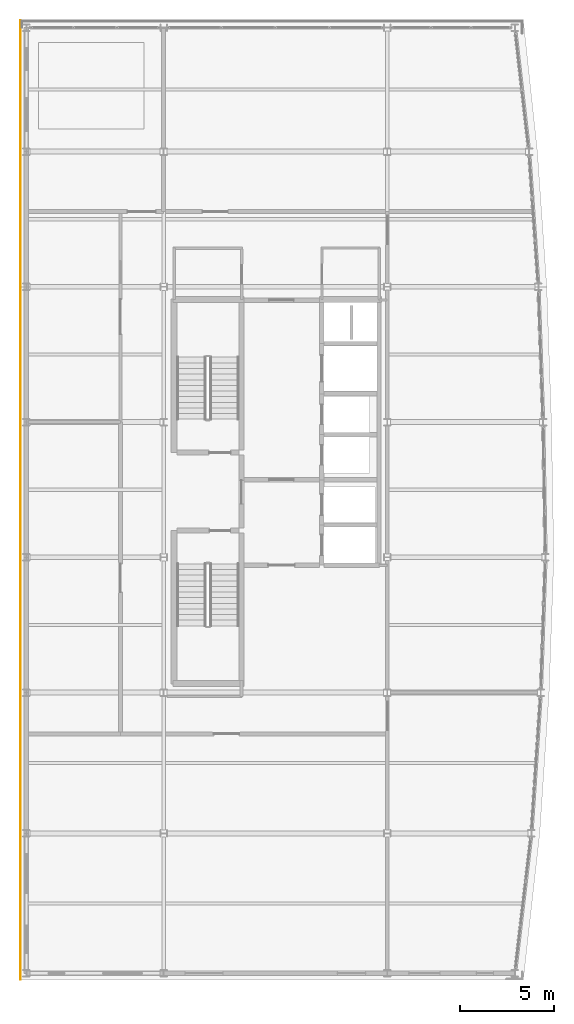
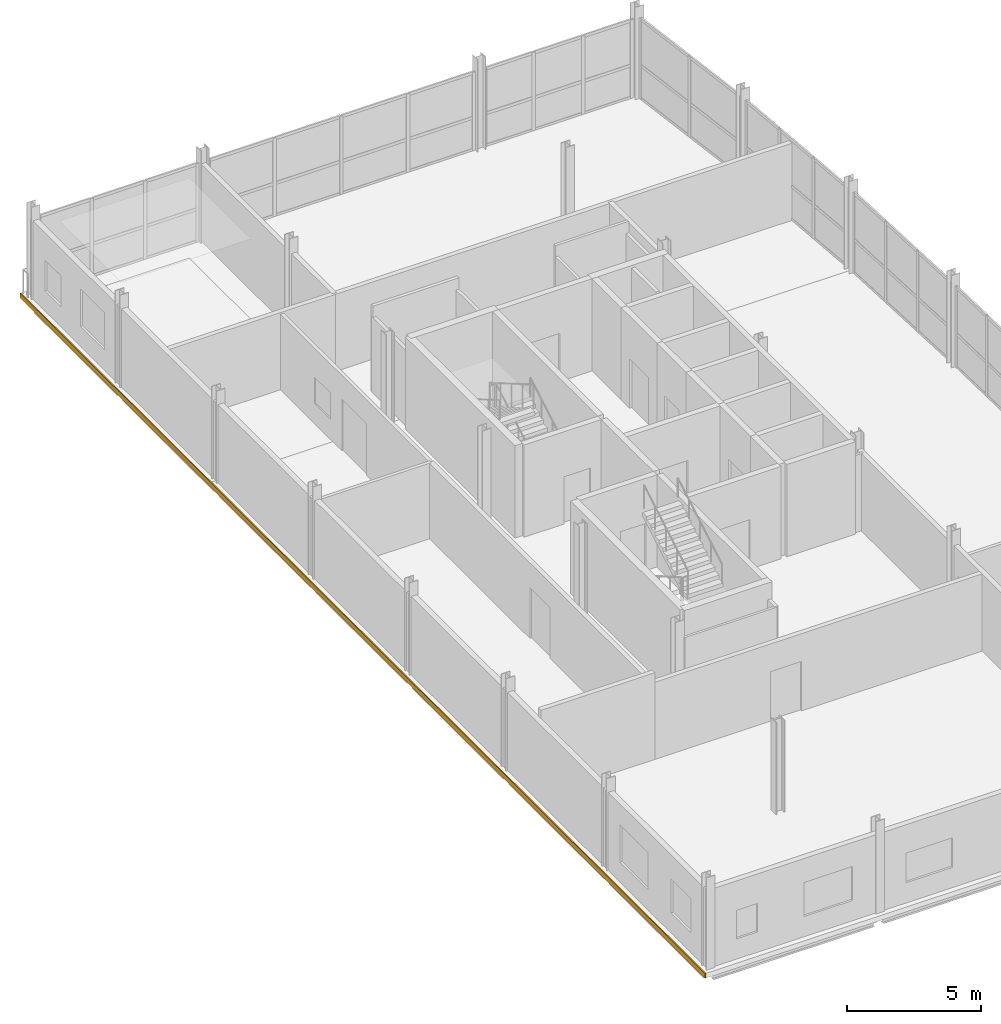
# One storey, part 19 of 20: 1 covering.
"""IFC4 building model written with IfcOpenShell, lengths in metres."""

from ifc_helpers import new_model, si_unit, direction, frame, origin, place, context, subcontext, project, spatial, polyline, outline, extrude, material, layer, layer_set, type_object, element, save


model = new_model("IFC4")

# Units and contexts
model_context = context("Model", 3, precision=1e-05, world=origin(), true_north=direction((0.0, 1.0)))
body_context = subcontext(model_context, "Body", "Model", "MODEL_VIEW")
ifc_project = project(units=[si_unit("LENGTHUNIT", "METRE"), si_unit("AREAUNIT", "SQUARE_METRE"), si_unit("VOLUMEUNIT", "CUBIC_METRE"), si_unit("PLANEANGLEUNIT", "RADIAN"), si_unit("MASSUNIT", "GRAM", prefix="KILO")], contexts=[model_context])

# Site, building, storey
site_placement = place(None, origin())
site = spatial("IfcSite", under=ifc_project, at=site_placement, CompositionType="ELEMENT")
building_placement = place(site_placement, origin())
building = spatial("IfcBuilding", under=site, at=building_placement, Name="Quillay Park Conservatory", CompositionType="ELEMENT")
storey_placement = place(building_placement, frame((0.0, 0.0, 30.89990234375)))
storey = spatial("IfcBuildingStorey", under=building, at=storey_placement, Name="L07", CompositionType="ELEMENT", Elevation=30.89990234375)

# Covering
ifc_material = material(Name="Glass-Fibre Reinforced Concrete (GRC) Cladding", Category="concrete")
ifc_layer = layer(ifc_material, 0.044921875)
ifc_layer_set = layer_set([ifc_layer], Name="GRC SPANDREL CLADDING 45 (Glass-Fibre Reinforced Concrete (GRC) Cladding)")
covering_type = type_object("IfcCoveringType", Name="GRC SPANDREL CLADDING 45", PredefinedType="CLADDING", material=ifc_layer_set)
covering_placement = place(storey_placement, frame((0.0, 0.0, -0.219970703125)))
element("IfcCovering", 1, at=covering_placement, inside=storey, type_object=covering_type, Name="L07 West Folded GRC Spandrel Ribbon", PredefinedType="CLADDING", context=body_context, shape_type="SweptSolid", body=[
    extrude(outline(polyline([(0.205078125, 62.699951171875), (0.25, 62.699951171875), (0.25, 113.800048828125), (0.205078125, 113.800048828125), (0.205078125, 62.699951171875)])), origin(), (0.0, 0.0, 1.0), 0.219970703125),
])

save(model, "model.ifc")
